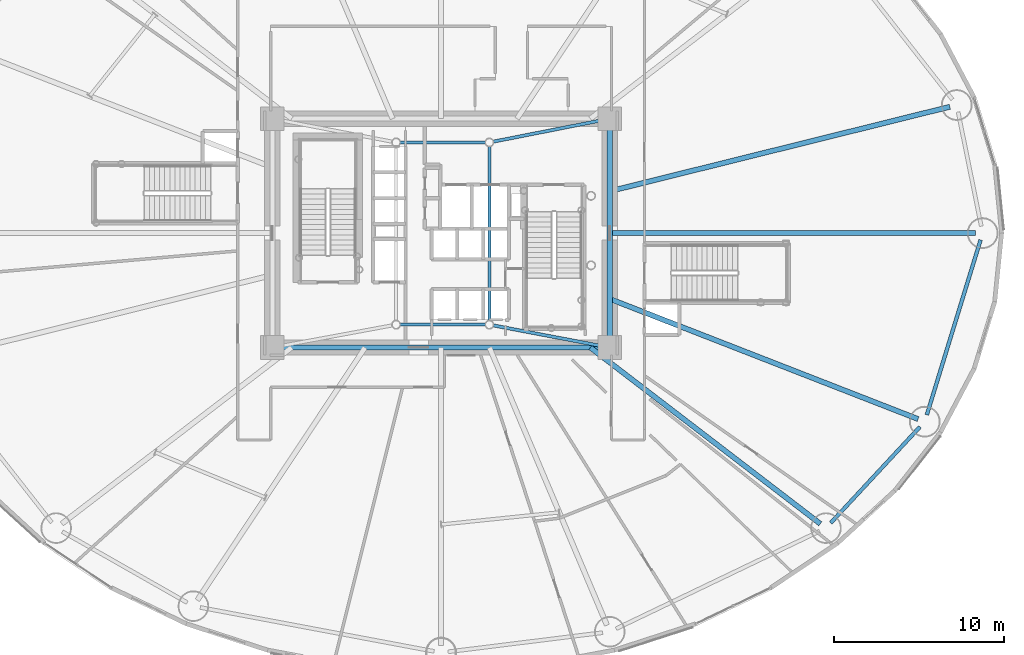
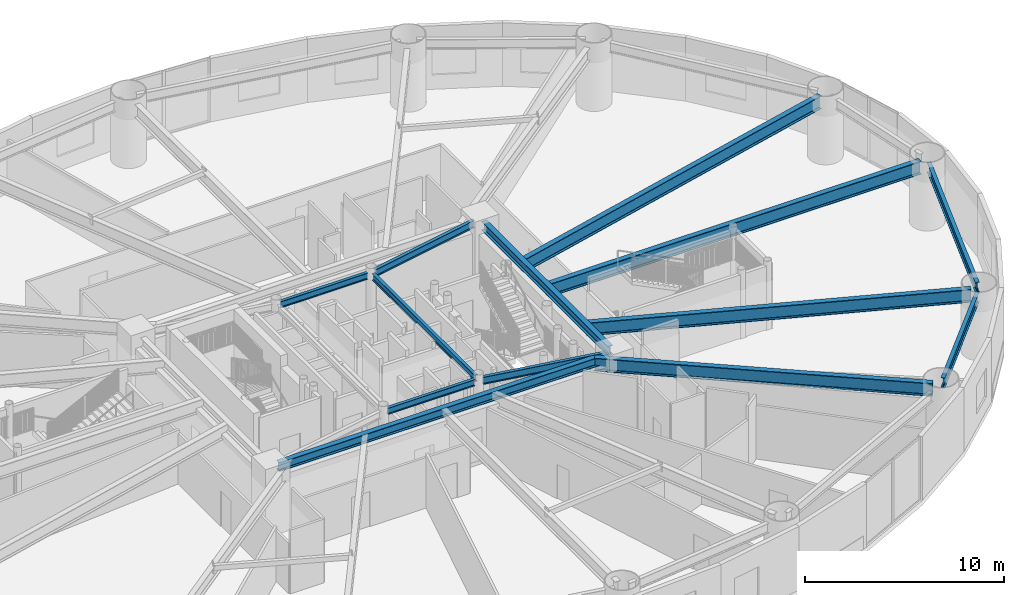
# One storey, part 7 of 30: 13 beams.
"""IFC4 building model written with IfcOpenShell, lengths in metres."""

from ifc_helpers import new_model, si_unit, direction, frame, origin, origin_2d, place, context, subcontext, project, spatial, i_section, extrude, material, material_profile, profile_set, type_object, element, save


model = new_model("IFC4")

# Units and contexts
model_context = context("Model", 3, precision=1e-05, world=origin(), true_north=direction((0.0, 1.0)))
body_context = subcontext(model_context, "Body", "Model", "MODEL_VIEW")
ifc_project = project(units=[si_unit("LENGTHUNIT", "METRE"), si_unit("AREAUNIT", "SQUARE_METRE"), si_unit("VOLUMEUNIT", "CUBIC_METRE"), si_unit("PLANEANGLEUNIT", "RADIAN"), si_unit("MASSUNIT", "GRAM", prefix="KILO")], contexts=[model_context])

# Site, building, storey
site_placement = place(None, origin())
site = spatial("IfcSite", under=ifc_project, at=site_placement, CompositionType="ELEMENT")
building_placement = place(site_placement, origin())
building = spatial("IfcBuilding", under=site, at=building_placement, Name="Linh Dai School and Residence Tower", CompositionType="ELEMENT")
storey_placement = place(building_placement, frame((0.0, 0.0, 10.199951171875)))
storey = spatial("IfcBuildingStorey", under=building, at=storey_placement, Name="L02", CompositionType="ELEMENT", Elevation=10.199951171875)

# Beams
ifc_material = material(Name="Structural Steel S355JR", Category="steel")
ifc_material_profile_1 = material_profile(ifc_material, i_section(OverallWidth=0.219970703125, OverallDepth=0.60009765625, WebThickness=0.011962890625, FlangeThickness=0.01904296875, FilletRadius=0.02392578125, at=origin_2d()), Name="IPE 600")
ifc_profile_set_1 = profile_set([ifc_material_profile_1], Name="Structural Steel S355JR")
beam_type_1 = type_object("IfcBeamType", Name="BM-RB60", PredefinedType="BEAM", material=ifc_profile_set_1)
beam_1_placement = place(storey_placement, frame((58.990966796875, 9.9072265625, 3.60009765625), z_axis=(0.680345653715, 0.73289139132, 0.0), x_axis=(-0.73289139132, 0.680345653715, 0.0)))
element("IfcBeam", 1, at=beam_1_placement, inside=storey, type_object=beam_type_1, Name="L02 Perimeter Elliptical Ring Beam 15", PredefinedType="BEAM", context=body_context, shape_type="SweptSolid", body=[
    extrude(i_section(OverallWidth=0.219970703125, OverallDepth=0.60009765625, WebThickness=0.011962890625, FlangeThickness=0.01904296875, FilletRadius=0.02392578125, at=origin_2d()), origin(), (0.0, 0.0, 1.0), 7.726806640625),
])
beam_2_placement = place(storey_placement, frame((64.656982421875, 16.279541015625, 3.60009765625), z_axis=(0.293626522026, 0.955920219246, 0.0), x_axis=(-0.955920219246, 0.293626522026, 0.0)))
element("IfcBeam", 2, at=beam_2_placement, inside=storey, type_object=beam_type_1, Name="L02 Perimeter Elliptical Ring Beam 16", PredefinedType="BEAM", context=body_context, shape_type="SweptSolid", body=[
    extrude(i_section(OverallWidth=0.219970703125, OverallDepth=0.60009765625, WebThickness=0.011962890625, FlangeThickness=0.01904296875, FilletRadius=0.02392578125, at=origin_2d()), origin(), (0.0, 0.0, 1.0), 10.794921875),
])
ifc_material_profile_2 = material_profile(ifc_material, i_section(OverallWidth=0.300048828125, OverallDepth=0.550048828125, WebThickness=0.014892578125, FlangeThickness=0.029052734375, FilletRadius=0.027099609375, at=origin_2d()), Name="HEB 550")
ifc_profile_set_2 = profile_set([ifc_material_profile_2], Name="Structural Steel S355JR")
beam_type_2 = type_object("IfcBeamType", Name="BM-RG55", PredefinedType="BEAM", material=ifc_profile_set_2)
beam_3_placement = place(storey_placement, frame((26.469970703125, 20.25, 3.625), z_axis=(1.0, 0.0, 0.0), x_axis=(0.0, 1.0, 0.0)))
element("IfcBeam", 3, at=beam_3_placement, inside=storey, type_object=beam_type_2, Name="L02 Core Perimeter Coupling Girder 1", PredefinedType="BEAM", context=body_context, shape_type="SweptSolid", body=[
    extrude(i_section(OverallWidth=0.300048828125, OverallDepth=0.550048828125, WebThickness=0.014892578125, FlangeThickness=0.029052734375, FilletRadius=0.027099609375, at=origin_2d()), origin(), (0.0, 0.0, 1.0), 19.06005859375),
])
beam_4_placement = place(storey_placement, frame((45.949951171875, 20.669921875, 3.625), z_axis=(0.0, 1.0, 0.0), x_axis=(-1.0, 0.0, 0.0)))
element("IfcBeam", 4, at=beam_4_placement, inside=storey, type_object=beam_type_2, Name="L02 Core Perimeter Coupling Girder 2", PredefinedType="BEAM", context=body_context, shape_type="SweptSolid", body=[
    extrude(i_section(OverallWidth=0.300048828125, OverallDepth=0.550048828125, WebThickness=0.014892578125, FlangeThickness=0.029052734375, FilletRadius=0.027099609375, at=origin_2d()), origin(), (0.0, 0.0, 1.0), 12.66015625),
])
ifc_material_profile_3 = material_profile(ifc_material, i_section(OverallWidth=0.300048828125, OverallDepth=0.800048828125, WebThickness=0.017578125, FlangeThickness=0.032958984375, FilletRadius=0.030029296875, at=origin_2d()), Name="HEB 800")
ifc_profile_set_3 = profile_set([ifc_material_profile_3], Name="Structural Steel S355JR")
beam_type_3 = type_object("IfcBeamType", Name="BM-RG8", PredefinedType="BEAM", material=ifc_profile_set_3)
beam_5_placement = place(storey_placement, frame((45.949951171875, 27.0, 3.5), z_axis=(1.0, 0.0, 0.0), x_axis=(0.0, 1.0, 0.0)))
element("IfcBeam", 5, at=beam_5_placement, inside=storey, type_object=beam_type_3, Name="L02 Primary Radial Floor Girder 01", PredefinedType="BEAM", context=body_context, shape_type="SweptSolid", body=[
    extrude(i_section(OverallWidth=0.300048828125, OverallDepth=0.800048828125, WebThickness=0.017578125, FlangeThickness=0.032958984375, FilletRadius=0.030029296875, at=origin_2d()), origin(), (0.0, 0.0, 1.0), 21.580078125),
])
beam_6_placement = place(storey_placement, frame((45.949951171875, 29.47119140625, 3.5), z_axis=(0.970515097282, 0.241040340913, 0.0), x_axis=(-0.241040340913, 0.970515097282, 0.0)))
element("IfcBeam", 6, at=beam_6_placement, inside=storey, type_object=beam_type_3, Name="L02 Primary Radial Floor Girder 02", PredefinedType="BEAM", context=body_context, shape_type="SweptSolid", body=[
    extrude(i_section(OverallWidth=0.300048828125, OverallDepth=0.800048828125, WebThickness=0.017578125, FlangeThickness=0.032958984375, FilletRadius=0.030029296875, at=origin_2d()), origin(), (0.0, 0.0, 1.0), 20.672607421875),
])
beam_7_placement = place(storey_placement, frame((44.807861328125, 20.25, 3.5), z_axis=(0.793713040757, -0.608292371259, 0.0), x_axis=(0.608292371259, 0.793713040757, 0.0)))
element("IfcBeam", 7, at=beam_7_placement, inside=storey, type_object=beam_type_3, Name="L02 Primary Radial Floor Girder 15", PredefinedType="BEAM", context=body_context, shape_type="SweptSolid", body=[
    extrude(i_section(OverallWidth=0.300048828125, OverallDepth=0.800048828125, WebThickness=0.017578125, FlangeThickness=0.032958984375, FilletRadius=0.030029296875, at=origin_2d()), origin(), (0.0, 0.0, 1.0), 17.08935546875),
])
beam_8_placement = place(storey_placement, frame((45.949951171875, 23.12158203125, 3.5), z_axis=(0.931723276589, -0.363169018312, 0.0), x_axis=(0.363169018312, 0.931723276589, 0.0)))
element("IfcBeam", 8, at=beam_8_placement, inside=storey, type_object=beam_type_3, Name="L02 Primary Radial Floor Girder 16", PredefinedType="BEAM", context=body_context, shape_type="SweptSolid", body=[
    extrude(i_section(OverallWidth=0.300048828125, OverallDepth=0.800048828125, WebThickness=0.017578125, FlangeThickness=0.032958984375, FilletRadius=0.030029296875, at=origin_2d()), origin(), (0.0, 0.0, 1.0), 19.525634765625),
])
ifc_material_profile_4 = material_profile(ifc_material, i_section(OverallWidth=0.179931640625, OverallDepth=0.39990234375, WebThickness=0.008544921875, FlangeThickness=0.013427734375, FilletRadius=0.02099609375, at=origin_2d()), Name="IPE 400")
ifc_profile_set_4 = profile_set([ifc_material_profile_4], Name="Structural Steel S355JR")
beam_type_4 = type_object("IfcBeamType", Name="BM-SB40", PredefinedType="BEAM", material=ifc_profile_set_4)
beam_9_placement = place(storey_placement, frame((33.573974609375, 21.60009765625, 3.699951171875), z_axis=(1.0, 0.0, 0.0), x_axis=(0.0, 1.0, 0.0)))
element("IfcBeam", 9, at=beam_9_placement, inside=storey, type_object=beam_type_4, Name="L02 Core Mast Pier Tie Beam 1", PredefinedType="BEAM", context=body_context, shape_type="SweptSolid", body=[
    extrude(i_section(OverallWidth=0.179931640625, OverallDepth=0.39990234375, WebThickness=0.008544921875, FlangeThickness=0.013427734375, FilletRadius=0.02099609375, at=origin_2d()), origin(), (0.0, 0.0, 1.0), 5.052001953125),
])
beam_10_placement = place(storey_placement, frame((38.85009765625, 21.823974609375, 3.699951171875), z_axis=(0.0, 1.0, 0.0), x_axis=(-1.0, 0.0, 0.0)))
element("IfcBeam", 10, at=beam_10_placement, inside=storey, type_object=beam_type_4, Name="L02 Core Mast Pier Tie Beam 2", PredefinedType="BEAM", context=body_context, shape_type="SweptSolid", body=[
    extrude(i_section(OverallWidth=0.179931640625, OverallDepth=0.39990234375, WebThickness=0.008544921875, FlangeThickness=0.013427734375, FilletRadius=0.02099609375, at=origin_2d()), origin(), (0.0, 0.0, 1.0), 10.302001953125),
])
beam_11_placement = place(storey_placement, frame((38.6259765625, 32.35009765625, 3.699951171875), z_axis=(-1.0, 0.0, 0.0), x_axis=(0.0, -1.0, 0.0)))
element("IfcBeam", 11, at=beam_11_placement, inside=storey, type_object=beam_type_4, Name="L02 Core Mast Pier Tie Beam 3", PredefinedType="BEAM", context=body_context, shape_type="SweptSolid", body=[
    extrude(i_section(OverallWidth=0.179931640625, OverallDepth=0.39990234375, WebThickness=0.008544921875, FlangeThickness=0.013427734375, FilletRadius=0.02099609375, at=origin_2d()), origin(), (0.0, 0.0, 1.0), 5.052001953125),
])
ifc_material_profile_5 = material_profile(ifc_material, i_section(OverallWidth=0.18994140625, OverallDepth=0.449951171875, WebThickness=0.009521484375, FlangeThickness=0.0146484375, FilletRadius=0.02099609375, at=origin_2d()), Name="IPE 450")
ifc_profile_set_5 = profile_set([ifc_material_profile_5], Name="Structural Steel S355JR")
beam_type_5 = type_object("IfcBeamType", Name="BM-SB45", PredefinedType="BEAM", material=ifc_profile_set_5)
beam_12_placement = place(storey_placement, frame((45.537353515625, 20.328369140625, 3.675048828125), z_axis=(-0.982397918823, 0.186800238471, 0.0), x_axis=(-0.186800238471, -0.982397918823, 0.0)))
element("IfcBeam", 12, at=beam_12_placement, inside=storey, type_object=beam_type_5, Name="L02 Core Corner-to-Mast Pier Beam 2", PredefinedType="BEAM", context=body_context, shape_type="SweptSolid", body=[
    extrude(i_section(OverallWidth=0.18994140625, OverallDepth=0.449951171875, WebThickness=0.009521484375, FlangeThickness=0.0146484375, FilletRadius=0.02099609375, at=origin_2d()), origin(), (0.0, 0.0, 1.0), 6.583251953125),
])
beam_13_placement = place(storey_placement, frame((45.537841796875, 33.668701171875, 3.675048828125), z_axis=(-0.981108354988, -0.193459028666, 0.0), x_axis=(0.193459028666, -0.981108354988, 0.0)))
element("IfcBeam", 13, at=beam_13_placement, inside=storey, type_object=beam_type_5, Name="L02 Core Corner-to-Mast Pier Beam 3", PredefinedType="BEAM", context=body_context, shape_type="SweptSolid", body=[
    extrude(i_section(OverallWidth=0.18994140625, OverallDepth=0.449951171875, WebThickness=0.009521484375, FlangeThickness=0.0146484375, FilletRadius=0.02099609375, at=origin_2d()), origin(), (0.0, 0.0, 1.0), 6.592529296875),
])

save(model, "model.ifc")
